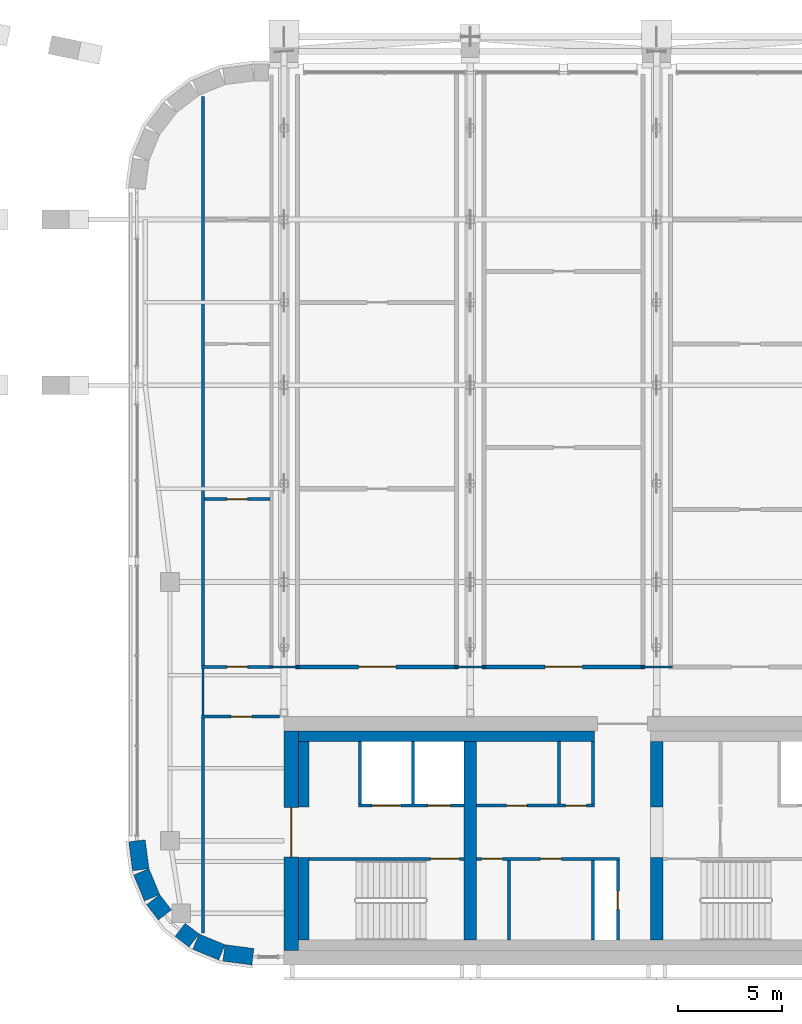
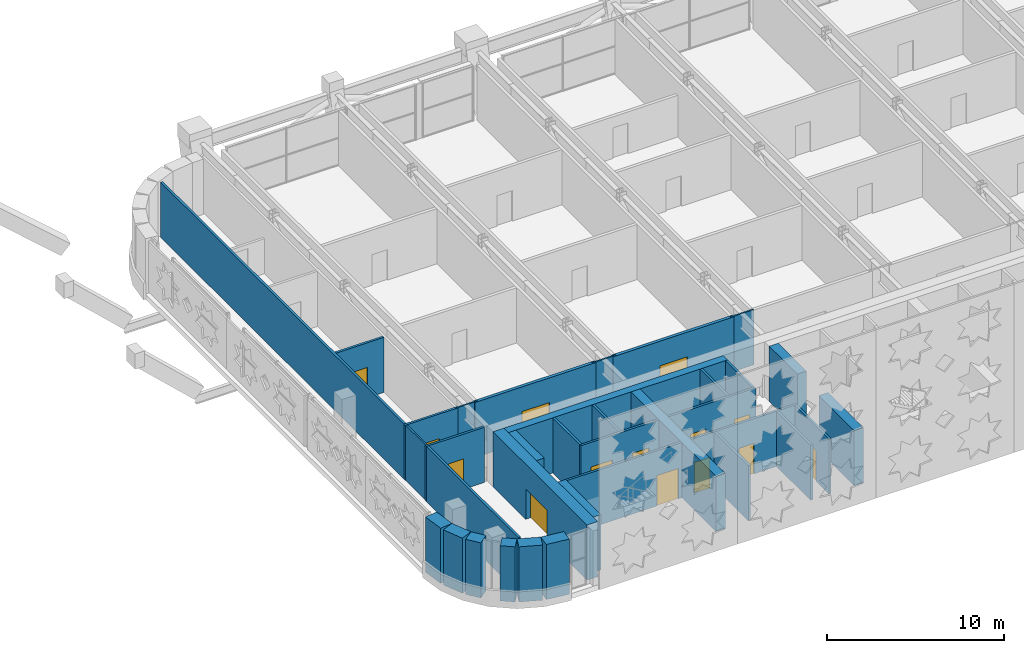
# One storey, part 16 of 26: 35 walls, 14 doors, 14 openings.
"""IFC4 building model written with IfcOpenShell, lengths in metres."""

from ifc_helpers import new_model, si_unit, direction, frame, frame_2d, origin, place, context, subcontext, project, spatial, rectangle, extrude, material, layer, layer_set, type_object, element, fill, save


model = new_model("IFC4")

# Units and contexts
model_context = context("Model", 3, precision=1e-05, world=origin(), true_north=direction((0.0, 1.0)))
body_context = subcontext(model_context, "Body", "Model", "MODEL_VIEW")
ifc_project = project(units=[si_unit("LENGTHUNIT", "METRE"), si_unit("AREAUNIT", "SQUARE_METRE"), si_unit("VOLUMEUNIT", "CUBIC_METRE"), si_unit("PLANEANGLEUNIT", "RADIAN"), si_unit("MASSUNIT", "GRAM", prefix="KILO")], contexts=[model_context])

# Site, building, storey
site_placement = place(None, origin())
site = spatial("IfcSite", under=ifc_project, at=site_placement, CompositionType="ELEMENT")
building_placement = place(site_placement, origin())
building = spatial("IfcBuilding", under=site, at=building_placement, Name="Zellij Exchange Tower", CompositionType="ELEMENT")
storey_placement = place(building_placement, frame((0.0, 0.0, 216.5)))
storey = spatial("IfcBuildingStorey", under=building, at=storey_placement, Name="L50", CompositionType="ELEMENT", Elevation=216.5)

# Walls
ifc_material_1 = material(Name="Concrete C50/60", Category="concrete")
ifc_layer_1 = layer(ifc_material_1, 0.60009765625)
ifc_layer_set_1 = layer_set([ifc_layer_1], Name="Concrete C50/60")
wall_type_1 = type_object("IfcWallType", Name="CORE-CW 600 C50/60", PredefinedType="SHEAR", material=ifc_layer_set_1)
wall_1_placement = place(storey_placement, frame((-18.0, -12.800048828125, 0.0), z_axis=(0.0, 0.0, 1.0), x_axis=(0.0, 1.0, 0.0)))
element("IfcWall", 1, at=wall_1_placement, inside=storey, type_object=wall_type_1, Name="Core cross wall x -18 L50", PredefinedType="SHEAR", context=body_context, shape_type="SweptSolid", body=[
    extrude(rectangle(XDim=9.60009765625, YDim=0.60009765625, at=frame_2d((4.800048828125, 0.0))), origin(), (0.0, 0.0, 1.0), 3.800048828125),
])
wall_2_placement = place(storey_placement, frame((-9.0, -12.800048828125, 0.0), z_axis=(0.0, 0.0, 1.0), x_axis=(0.0, 1.0, 0.0)))
element("IfcWall", 2, at=wall_2_placement, inside=storey, type_object=wall_type_1, Name="Core cross wall pier x -9 a L50", PredefinedType="SHEAR", context=body_context, shape_type="SweptSolid", body=[
    extrude(rectangle(XDim=4.0, YDim=0.60009765625, at=frame_2d((2.0, 0.0))), origin(), (0.0, 0.0, 1.0), 3.800048828125),
])
wall_3_placement = place(storey_placement, frame((-9.0, -6.375, 0.0), z_axis=(0.0, 0.0, 1.0), x_axis=(0.0, 1.0, 0.0)))
element("IfcWall", 3, at=wall_3_placement, inside=storey, type_object=wall_type_1, Name="Core cross wall pier x -9 b L50", PredefinedType="SHEAR", context=body_context, shape_type="SweptSolid", body=[
    extrude(rectangle(XDim=3.175048828125, YDim=0.60009765625, at=frame_2d((1.58740234375, 0.0))), origin(), (0.0, 0.0, 1.0), 3.800048828125),
])
ifc_material_2 = material(Name="Concrete C30/37", Category="concrete")
ifc_layer_2 = layer(ifc_material_2, 0.5)
ifc_layer_set_2 = layer_set([ifc_layer_2], Name="Concrete C30/37")
wall_type_2 = type_object("IfcWallType", Name="CORE-LW 500 C30/37", PredefinedType="SHEAR", material=ifc_layer_set_2)
wall_4_placement = place(storey_placement, frame((-26.300048828125, -2.949951171875, 0.0), z_axis=(0.0, 0.0, 1.0), x_axis=(1.0, 0.0, 0.0)))
element("IfcWall", 4, at=wall_4_placement, inside=storey, type_object=wall_type_2, Name="Core wall lining front.0 L50", PredefinedType="SHEAR", context=body_context, shape_type="SweptSolid", body=[
    extrude(rectangle(XDim=14.300048828125, YDim=0.5, at=frame_2d((7.14990234375, 0.0))), origin(), (0.0, 0.0, 1.0), 3.800048828125),
])
wall_5_placement = place(storey_placement, frame((-26.050048828125, -12.800048828125, 0.0), z_axis=(0.0, 0.0, 1.0), x_axis=(0.0, 1.0, 0.0)))
element("IfcWall", 5, at=wall_5_placement, inside=storey, type_object=wall_type_2, Name="Core wall lining end w.0 L50", PredefinedType="SHEAR", context=body_context, shape_type="SweptSolid", body=[
    extrude(rectangle(XDim=4.0, YDim=0.5, at=frame_2d((2.0, 0.0))), origin(), (0.0, 0.0, 1.0), 3.800048828125),
])
wall_6_placement = place(storey_placement, frame((-26.050048828125, -6.375, 0.0), z_axis=(0.0, 0.0, 1.0), x_axis=(0.0, 1.0, 0.0)))
element("IfcWall", 6, at=wall_6_placement, inside=storey, type_object=wall_type_2, Name="Core wall lining end w.1 L50", PredefinedType="SHEAR", context=body_context, shape_type="SweptSolid", body=[
    extrude(rectangle(XDim=3.175048828125, YDim=0.5, at=frame_2d((1.58740234375, 0.0))), origin(), (0.0, 0.0, 1.0), 3.800048828125),
])
ifc_material_3 = material(Name="Gypsum shaft wall system")
ifc_layer_3 = layer(ifc_material_3, 0.14990234375)
ifc_layer_set_3 = layer_set([ifc_layer_3], Name="Gypsum shaft wall system")
wall_type_3 = type_object("IfcWallType", Name="CORE-PW 150 Lift shaft wall", PredefinedType="PARTITIONING", material=ifc_layer_set_3)
for number, where, z_axis, x_axis, name in (
    (7, (-20.77490234375, -6.22509765625, 0.0), (0.0, 0.0, 1.0), (0.0, 1.0, 0.0), "Lift shaft wall L50"),
    (8, (-23.324951171875, -6.22509765625, 0.0), (0.0, 0.0, 1.0), (0.0, 1.0, 0.0), "Lift shaft wall L50"),
):
    element("IfcWall", number, at=place(storey_placement, frame(where, z_axis=z_axis, x_axis=x_axis)), inside=storey, type_object=wall_type_3, Name=name, PredefinedType="PARTITIONING", context=body_context, shape_type="SweptSolid", body=[
        extrude(rectangle(XDim=3.025146484375, YDim=0.14990234375, at=frame_2d((1.5126953125, 0.0))), origin(), (0.0, 0.0, 1.0), 3.800048828125),
    ])

# Wall, openings, doors
wall_7_placement = place(storey_placement, frame((-23.39990234375, -6.300048828125, 0.0), z_axis=(0.0, 0.0, 1.0), x_axis=(1.0, 0.0, 0.0)))
wall_7 = element("IfcWall", 9, at=wall_7_placement, inside=storey, type_object=wall_type_3, Name="Lift shaft wall L50", PredefinedType="PARTITIONING", context=body_context, shape_type="SweptSolid", body=[
    extrude(rectangle(XDim=5.099853515625, YDim=0.14990234375, at=frame_2d((2.5498046875, 0.0))), origin(), (0.0, 0.0, 1.0), 3.800048828125),
])
opening_1_placement = place(wall_7_placement, frame((0.64990234375, 0.0, 0.0)))
opening_1 = element("IfcOpeningElement", 10, at=opening_1_placement, cuts=wall_7, Name="Opening CA-27.02", PredefinedType="OPENING", context=body_context, shape_type="SweptSolid", body=[
    extrude(rectangle(XDim=1.39990234375, YDim=2.10009765625, at=frame_2d((0.699951171875, 1.050048828125))), frame((0.0, 0.0869140625, 0.0), z_axis=(0.0, -1.0, 0.0), x_axis=(1.0, 0.0, 0.0)), (0.0, 0.0, 1.0), 0.173828125),
])
opening_2_placement = place(wall_7_placement, frame((3.35009765625, 0.0, 0.0)))
opening_2 = element("IfcOpeningElement", 11, at=opening_2_placement, cuts=wall_7, Name="Opening CA-27.03", PredefinedType="OPENING", context=body_context, shape_type="SweptSolid", body=[
    extrude(rectangle(XDim=1.10009765625, YDim=2.10009765625, at=frame_2d((0.550048828125, 1.050048828125))), frame((0.0, 0.0869140625, 0.0), z_axis=(0.0, -1.0, 0.0), x_axis=(1.0, 0.0, 0.0)), (0.0, 0.0, 1.0), 0.173828125),
])
ifc_material_4 = material(Name="Hollow metal fire door")
door_type_1 = type_object("IfcDoorType", Name="CORE-D LD Lift landing door 1100x2100 1.5 HR", OperationType="NOTDEFINED", PredefinedType="DOOR", material=ifc_material_4)
door_1_placement = place(opening_2_placement, origin())
door_1 = element("IfcDoor", 12, at=door_1_placement, inside=storey, type_object=door_type_1, Name="Lift landing door CA-27.03", OperationType="SLIDING_TO_LEFT", OverallHeight=2.10009765625, OverallWidth=1.10009765625, PredefinedType="DOOR", context=body_context, shape_type="SweptSolid", body=[
    extrude(rectangle(XDim=1.10009765625, YDim=2.10009765625, at=frame_2d((0.550048828125, 1.050048828125))), frame((0.0, 0.02490234375, 0.0), z_axis=(0.0, -1.0, 0.0), x_axis=(1.0, 0.0, 0.0)), (0.0, 0.0, 1.0), 0.050048828125),
])
fill(opening_2, door_1)
door_type_2 = type_object("IfcDoorType", Name="CORE-D LD2 Service lift landing door 1400x2100 1.5 HR", OperationType="NOTDEFINED", PredefinedType="DOOR", material=ifc_material_4)
door_2_placement = place(opening_1_placement, origin())
door_2 = element("IfcDoor", 13, at=door_2_placement, inside=storey, type_object=door_type_2, Name="Service lift landing door CA-27.02", OperationType="SLIDING_TO_RIGHT", OverallHeight=2.10009765625, OverallWidth=1.39990234375, PredefinedType="DOOR", context=body_context, shape_type="SweptSolid", body=[
    extrude(rectangle(XDim=1.39990234375, YDim=2.10009765625, at=frame_2d((0.699951171875, 1.050048828125))), frame((0.0, 0.02490234375, 0.0), z_axis=(0.0, -1.0, 0.0), x_axis=(1.0, 0.0, 0.0)), (0.0, 0.0, 1.0), 0.050048828125),
])
fill(opening_1, door_2)

# Walls
ifc_layer_4 = layer(ifc_material_3, 0.14990234375)
ifc_layer_set_4 = layer_set([ifc_layer_4], Name="Gypsum shaft wall system")
wall_type_4 = type_object("IfcWallType", Name="CORE-PW 150 Plant room wall", PredefinedType="PARTITIONING", material=ifc_layer_set_4)
for number, where, z_axis, x_axis, name in (
    (14, (-12.074951171875, -6.22509765625, 0.0), (0.0, 0.0, 1.0), (0.0, 1.0, 0.0), "Plant room wall L50"),
    (15, (-13.72509765625, -6.22509765625, 0.0), (0.0, 0.0, 1.0), (0.0, 1.0, 0.0), "Plant room wall L50"),
):
    element("IfcWall", number, at=place(storey_placement, frame(where, z_axis=z_axis, x_axis=x_axis)), inside=storey, type_object=wall_type_4, Name=name, PredefinedType="PARTITIONING", context=body_context, shape_type="SweptSolid", body=[
        extrude(rectangle(XDim=3.025146484375, YDim=0.14990234375, at=frame_2d((1.5126953125, 0.0))), origin(), (0.0, 0.0, 1.0), 3.800048828125),
    ])

# Wall, opening, door
wall_8_placement = place(storey_placement, frame((-10.875, -12.800048828125, 0.0), z_axis=(0.0, 0.0, 1.0), x_axis=(0.0, 1.0, 0.0)))
wall_8 = element("IfcWall", 16, at=wall_8_placement, inside=storey, type_object=wall_type_4, Name="Plant room wall L50", PredefinedType="PARTITIONING", context=body_context, shape_type="SweptSolid", body=[
    extrude(rectangle(XDim=3.85009765625, YDim=0.14990234375, at=frame_2d((1.925048828125, 0.0))), origin(), (0.0, 0.0, 1.0), 3.800048828125),
])
opening_3_placement = place(wall_8_placement, frame((1.47509765625, 0.0, 0.0)))
opening_3 = element("IfcOpeningElement", 17, at=opening_3_placement, cuts=wall_8, Name="Opening CA-27.09", PredefinedType="OPENING", context=body_context, shape_type="SweptSolid", body=[
    extrude(rectangle(XDim=0.89990234375, YDim=2.10009765625, at=frame_2d((0.449951171875, 1.050048828125))), frame((0.0, 0.0869140625, 0.0), z_axis=(0.0, -1.0, 0.0), x_axis=(1.0, 0.0, 0.0)), (0.0, 0.0, 1.0), 0.173828125),
])
door_type_3 = type_object("IfcDoorType", Name="CORE-D RD Riser door 900x2100 1.5 HR", OperationType="NOTDEFINED", PredefinedType="DOOR", material=ifc_material_4)
door_3_placement = place(opening_3_placement, origin())
door_3 = element("IfcDoor", 18, at=door_3_placement, inside=storey, type_object=door_type_3, Name="Riser door CA-27.09", OperationType="SINGLE_SWING_RIGHT", OverallHeight=2.10009765625, OverallWidth=0.89990234375, PredefinedType="DOOR", context=body_context, shape_type="SweptSolid", body=[
    extrude(rectangle(XDim=0.89990234375, YDim=2.10009765625, at=frame_2d((0.449951171875, 1.050048828125))), frame((0.0, 0.02490234375, 0.0), z_axis=(0.0, -1.0, 0.0), x_axis=(1.0, 0.0, 0.0)), (0.0, 0.0, 1.0), 0.050048828125),
])
fill(opening_3, door_3)

# Walls
for number, where, z_axis, x_axis, name in (
    (19, (-12.074951171875, -12.800048828125, 0.0), (0.0, 0.0, 1.0), (0.0, 1.0, 0.0), "Plant room wall L50"),
    (20, (-16.125, -12.800048828125, 0.0), (0.0, 0.0, 1.0), (0.0, 1.0, 0.0), "Plant room wall L50"),
):
    element("IfcWall", number, at=place(storey_placement, frame(where, z_axis=z_axis, x_axis=x_axis)), inside=storey, type_object=wall_type_4, Name=name, PredefinedType="PARTITIONING", context=body_context, shape_type="SweptSolid", body=[
        extrude(rectangle(XDim=3.85009765625, YDim=0.14990234375, at=frame_2d((1.925048828125, 0.0))), origin(), (0.0, 0.0, 1.0), 3.800048828125),
    ])

# Wall, openings, doors
wall_9_placement = place(storey_placement, frame((-17.699951171875, -6.300048828125, 0.0), z_axis=(0.0, 0.0, 1.0), x_axis=(1.0, 0.0, 0.0)))
wall_9 = element("IfcWall", 21, at=wall_9_placement, inside=storey, type_object=wall_type_4, Name="Plant room wall L50", PredefinedType="PARTITIONING", context=body_context, shape_type="SweptSolid", body=[
    extrude(rectangle(XDim=5.699951171875, YDim=0.14990234375, at=frame_2d((2.85009765625, 0.0))), origin(), (0.0, 0.0, 1.0), 3.800048828125),
])
opening_4_placement = place(wall_9_placement, frame((1.449951171875, 0.0, 0.0)))
opening_4 = element("IfcOpeningElement", 22, at=opening_4_placement, cuts=wall_9, Name="Opening CA-27.06", PredefinedType="OPENING", context=body_context, shape_type="SweptSolid", body=[
    extrude(rectangle(XDim=1.0, YDim=2.10009765625, at=frame_2d((0.5, 1.050048828125))), frame((0.0, 0.0869140625, 0.0), z_axis=(0.0, -1.0, 0.0), x_axis=(1.0, 0.0, 0.0)), (0.0, 0.0, 1.0), 0.173828125),
])
opening_5_placement = place(wall_9_placement, frame((4.300048828125, 0.0, 0.0)))
opening_5 = element("IfcOpeningElement", 23, at=opening_5_placement, cuts=wall_9, Name="Opening CA-27.08", PredefinedType="OPENING", context=body_context, shape_type="SweptSolid", body=[
    extrude(rectangle(XDim=1.0, YDim=2.10009765625, at=frame_2d((0.5, 1.050048828125))), frame((0.0, 0.0869140625, 0.0), z_axis=(0.0, -1.0, 0.0), x_axis=(1.0, 0.0, 0.0)), (0.0, 0.0, 1.0), 0.173828125),
])
door_type_4 = type_object("IfcDoorType", Name="CORE-D CDA Core room door 1000x2100 1.5 HR", OperationType="NOTDEFINED", PredefinedType="DOOR", material=ifc_material_4)
door_4_placement = place(opening_4_placement, origin())
door_4 = element("IfcDoor", 24, at=door_4_placement, inside=storey, type_object=door_type_4, Name="Core room door CA-27.06", OperationType="SINGLE_SWING_LEFT", OverallHeight=2.10009765625, OverallWidth=1.0, PredefinedType="DOOR", context=body_context, shape_type="SweptSolid", body=[
    extrude(rectangle(XDim=1.0, YDim=2.10009765625, at=frame_2d((0.5, 1.050048828125))), frame((0.0, 0.02490234375, 0.0), z_axis=(0.0, -1.0, 0.0), x_axis=(1.0, 0.0, 0.0)), (0.0, 0.0, 1.0), 0.050048828125),
])
fill(opening_4, door_4)
door_5_placement = place(opening_5_placement, origin())
door_5 = element("IfcDoor", 25, at=door_5_placement, inside=storey, type_object=door_type_4, Name="Core room door CA-27.08", OperationType="SINGLE_SWING_RIGHT", OverallHeight=2.10009765625, OverallWidth=1.0, PredefinedType="DOOR", context=body_context, shape_type="SweptSolid", body=[
    extrude(rectangle(XDim=1.0, YDim=2.10009765625, at=frame_2d((0.5, 1.050048828125))), frame((0.0, 0.02490234375, 0.0), z_axis=(0.0, -1.0, 0.0), x_axis=(1.0, 0.0, 0.0)), (0.0, 0.0, 1.0), 0.050048828125),
])
fill(opening_5, door_5)

wall_10_placement = place(storey_placement, frame((-17.699951171875, -8.875, 0.0), z_axis=(0.0, 0.0, 1.0), x_axis=(1.0, 0.0, 0.0)))
wall_10 = element("IfcWall", 26, at=wall_10_placement, inside=storey, type_object=wall_type_4, Name="Plant room wall L50", PredefinedType="PARTITIONING", context=body_context, shape_type="SweptSolid", body=[
    extrude(rectangle(XDim=6.89990234375, YDim=0.14990234375, at=frame_2d((3.449951171875, 0.0))), origin(), (0.0, 0.0, 1.0), 3.800048828125),
])
opening_6_placement = place(wall_10_placement, frame((0.25, 0.0, 0.0)))
opening_6 = element("IfcOpeningElement", 27, at=opening_6_placement, cuts=wall_10, Name="Opening CA-27.05", PredefinedType="OPENING", context=body_context, shape_type="SweptSolid", body=[
    extrude(rectangle(XDim=1.0, YDim=2.10009765625, at=frame_2d((0.5, 1.050048828125))), frame((0.0, 0.0869140625, 0.0), z_axis=(0.0, -1.0, 0.0), x_axis=(1.0, 0.0, 0.0)), (0.0, 0.0, 1.0), 0.173828125),
])
opening_7_placement = place(wall_10_placement, frame((3.10009765625, 0.0, 0.0)))
opening_7 = element("IfcOpeningElement", 28, at=opening_7_placement, cuts=wall_10, Name="Opening CA-27.07", PredefinedType="OPENING", context=body_context, shape_type="SweptSolid", body=[
    extrude(rectangle(XDim=1.0, YDim=2.10009765625, at=frame_2d((0.5, 1.050048828125))), frame((0.0, 0.0869140625, 0.0), z_axis=(0.0, -1.0, 0.0), x_axis=(1.0, 0.0, 0.0)), (0.0, 0.0, 1.0), 0.173828125),
])
door_6_placement = place(opening_6_placement, origin())
door_6 = element("IfcDoor", 29, at=door_6_placement, inside=storey, type_object=door_type_4, Name="Core room door CA-27.05", OperationType="SINGLE_SWING_RIGHT", OverallHeight=2.10009765625, OverallWidth=1.0, PredefinedType="DOOR", context=body_context, shape_type="SweptSolid", body=[
    extrude(rectangle(XDim=1.0, YDim=2.10009765625, at=frame_2d((0.5, 1.050048828125))), frame((0.0, 0.02490234375, 0.0), z_axis=(0.0, -1.0, 0.0), x_axis=(1.0, 0.0, 0.0)), (0.0, 0.0, 1.0), 0.050048828125),
])
fill(opening_6, door_6)
door_7_placement = place(opening_7_placement, origin())
door_7 = element("IfcDoor", 30, at=door_7_placement, inside=storey, type_object=door_type_4, Name="Core room door CA-27.07", OperationType="SINGLE_SWING_LEFT", OverallHeight=2.10009765625, OverallWidth=1.0, PredefinedType="DOOR", context=body_context, shape_type="SweptSolid", body=[
    extrude(rectangle(XDim=1.0, YDim=2.10009765625, at=frame_2d((0.5, 1.050048828125))), frame((0.0, 0.02490234375, 0.0), z_axis=(0.0, -1.0, 0.0), x_axis=(1.0, 0.0, 0.0)), (0.0, 0.0, 1.0), 0.050048828125),
])
fill(opening_7, door_7)

# Wall, opening, door
ifc_layer_5 = layer(ifc_material_1, 0.699951171875)
ifc_layer_set_5 = layer_set([ifc_layer_5], Name="Concrete C50/60")
wall_type_5 = type_object("IfcWallType", Name="CORE-SW 700 C50/60", PredefinedType="SHEAR", material=ifc_layer_set_5)
wall_11_placement = place(storey_placement, frame((-26.64990234375, -13.300048828125, 0.0), z_axis=(0.0, 0.0, 1.0), x_axis=(0.0, 1.0, 0.0)))
wall_11 = element("IfcWall", 31, at=wall_11_placement, inside=storey, type_object=wall_type_5, Name="Core shear wall end w L50", PredefinedType="SHEAR", context=body_context, shape_type="SweptSolid", body=[
    extrude(rectangle(XDim=10.60009765625, YDim=0.699951171875, at=frame_2d((5.300048828125, 0.0))), origin(), (0.0, 0.0, 1.0), 3.800048828125),
])
opening_8_placement = place(wall_11_placement, frame((4.511962890625, 0.0, 0.0)))
opening_8 = element("IfcOpeningElement", 32, at=opening_8_placement, cuts=wall_11, Name="Opening CA-27.01", PredefinedType="OPENING", context=body_context, shape_type="SweptSolid", body=[
    extrude(rectangle(XDim=2.39990234375, YDim=2.10009765625, at=frame_2d((1.199951171875, 1.050048828125))), frame((0.0, 0.36181640625, 0.0), z_axis=(0.0, -1.0, 0.0), x_axis=(1.0, 0.0, 0.0)), (0.0, 0.0, 1.0), 0.723876953125),
])
door_type_5 = type_object("IfcDoorType", Name="CORE-D CE Core entrance door 2400x2100 20 MIN", OperationType="NOTDEFINED", PredefinedType="DOOR", material=ifc_material_4)
door_8_placement = place(opening_8_placement, origin())
door_8 = element("IfcDoor", 33, at=door_8_placement, inside=storey, type_object=door_type_5, Name="Core entrance door CA-27.01", OperationType="DOUBLE_DOOR_SINGLE_SWING", OverallHeight=2.10009765625, OverallWidth=2.39990234375, PredefinedType="DOOR", context=body_context, shape_type="SweptSolid", body=[
    extrude(rectangle(XDim=2.39990234375, YDim=2.10009765625, at=frame_2d((1.199951171875, 1.050048828125))), frame((0.0, 0.02490234375, 0.0), z_axis=(0.0, -1.0, 0.0), x_axis=(1.0, 0.0, 0.0)), (0.0, 0.0, 1.0), 0.050048828125),
])
fill(opening_8, door_8)

ifc_layer_6 = layer(ifc_material_1, 0.14990234375)
ifc_layer_set_6 = layer_set([ifc_layer_6], Name="Concrete C50/60")
wall_type_6 = type_object("IfcWallType", Name="CORE-SWS 150 C50/60", PredefinedType="SHEAR", material=ifc_layer_set_6)
wall_12_placement = place(storey_placement, frame((-25.800048828125, -8.875, 0.0), z_axis=(0.0, 0.0, 1.0), x_axis=(1.0, 0.0, 0.0)))
wall_12 = element("IfcWall", 34, at=wall_12_placement, inside=storey, type_object=wall_type_6, Name="Stair enclosure wall L50", PredefinedType="SHEAR", context=body_context, shape_type="SweptSolid", body=[
    extrude(rectangle(XDim=7.5, YDim=0.14990234375, at=frame_2d((3.75, 0.0))), origin(), (0.0, 0.0, 1.0), 3.800048828125),
])
opening_9_placement = place(wall_12_placement, frame((5.875, 0.0, 0.0)))
opening_9 = element("IfcOpeningElement", 35, at=opening_9_placement, cuts=wall_12, Name="Opening CA-27.04", PredefinedType="OPENING", context=body_context, shape_type="SweptSolid", body=[
    extrude(rectangle(XDim=1.39990234375, YDim=2.10009765625, at=frame_2d((0.699951171875, 1.050048828125))), frame((0.0, 0.0869140625, 0.0), z_axis=(0.0, -1.0, 0.0), x_axis=(1.0, 0.0, 0.0)), (0.0, 0.0, 1.0), 0.173828125),
])
door_type_6 = type_object("IfcDoorType", Name="CORE-D SD Stair door 1400x2100 1.5 HR", OperationType="NOTDEFINED", PredefinedType="DOOR", material=ifc_material_4)
door_9_placement = place(opening_9_placement, origin())
door_9 = element("IfcDoor", 36, at=door_9_placement, inside=storey, type_object=door_type_6, Name="Stair door CA-27.04", OperationType="DOUBLE_DOOR_SINGLE_SWING", OverallHeight=2.10009765625, OverallWidth=1.39990234375, PredefinedType="DOOR", context=body_context, shape_type="SweptSolid", body=[
    extrude(rectangle(XDim=1.39990234375, YDim=2.10009765625, at=frame_2d((0.699951171875, 1.050048828125))), frame((0.0, 0.02490234375, 0.0), z_axis=(0.0, -1.0, 0.0), x_axis=(1.0, 0.0, 0.0)), (0.0, 0.0, 1.0), 0.050048828125),
])
fill(opening_9, door_9)

# Walls
ifc_material_5 = material(Name="Precast concrete C40/50", Category="concrete")
ifc_layer_7 = layer(ifc_material_5, 0.800048828125)
ifc_layer_set_7 = layer_set([ifc_layer_7], Name="Precast concrete C40/50")
wall_type_7 = type_object("IfcWallType", Name="ENV-EW1 Precast stone-piered wall 800", PredefinedType="SOLIDWALL", material=ifc_layer_set_7)
wall_13_placement = place(storey_placement, frame((-34.0966796875, -7.999755859375, 0.0), z_axis=(0.0, 0.0, 1.0), x_axis=(0.130517283865, -0.99144603414, 0.0)))
element("IfcWall", 37, at=wall_13_placement, inside=storey, type_object=wall_type_7, Name="fac.L50.22", PredefinedType="SOLIDWALL", context=body_context, shape_type="SweptSolid", body=[
    extrude(rectangle(XDim=1.408447265625, YDim=0.800048828125, at=frame_2d((0.7041015625, 0.0))), origin(), (0.0, 0.0, 1.0), 3.800048828125),
])
wall_14_placement = place(storey_placement, frame((-33.8857421875, -9.497314453125, 0.0), z_axis=(0.0, 0.0, 1.0), x_axis=(0.38276009378, -0.923847774587, 0.0)))
element("IfcWall", 38, at=wall_14_placement, inside=storey, type_object=wall_type_7, Name="fac.L50.23", PredefinedType="SOLIDWALL", context=body_context, shape_type="SweptSolid", body=[
    extrude(rectangle(XDim=1.35546875, YDim=0.800048828125, at=frame_2d((0.677734375, 0.0))), origin(), (0.0, 0.0, 1.0), 3.800048828125),
])
wall_15_placement = place(storey_placement, frame((-33.314697265625, -10.840087890625, 0.0), z_axis=(0.0, 0.0, 1.0), x_axis=(0.608772738221, -0.793344662299, 0.0)))
element("IfcWall", 39, at=wall_15_placement, inside=storey, type_object=wall_type_7, Name="fac.L50.24", PredefinedType="SOLIDWALL", context=body_context, shape_type="SweptSolid", body=[
    extrude(rectangle(XDim=0.93115234375, YDim=0.800048828125, at=frame_2d((0.465576171875, 0.0))), origin(), (0.0, 0.0, 1.0), 3.800048828125),
])
wall_16_placement = place(storey_placement, frame((-32.013671875, -12.2978515625, 0.0), z_axis=(0.0, 0.0, 1.0), x_axis=(0.793361000707, -0.608751445631, 0.0)))
element("IfcWall", 40, at=wall_16_placement, inside=storey, type_object=wall_type_7, Name="fac.L50.25", PredefinedType="SOLIDWALL", context=body_context, shape_type="SweptSolid", body=[
    extrude(rectangle(XDim=0.84912109375, YDim=0.800048828125, at=frame_2d((0.424560546875, 0.0))), origin(), (0.0, 0.0, 1.0), 3.800048828125),
])
wall_17_placement = place(storey_placement, frame((-31.24951171875, -12.866943359375, 0.0), z_axis=(0.0, 0.0, 1.0), x_axis=(0.923847774587, -0.38276009378, 0.0)))
element("IfcWall", 41, at=wall_17_placement, inside=storey, type_object=wall_type_7, Name="fac.L50.26", PredefinedType="SOLIDWALL", context=body_context, shape_type="SweptSolid", body=[
    extrude(rectangle(XDim=1.35546875, YDim=0.800048828125, at=frame_2d((0.677734375, 0.0))), origin(), (0.0, 0.0, 1.0), 3.800048828125),
])
wall_18_placement = place(storey_placement, frame((-29.896240234375, -13.412841796875, 0.0), z_axis=(0.0, 0.0, 1.0), x_axis=(0.99144603414, -0.130517283865, 0.0)))
element("IfcWall", 42, at=wall_18_placement, inside=storey, type_object=wall_type_7, Name="fac.L50.27", PredefinedType="SOLIDWALL", context=body_context, shape_type="SweptSolid", body=[
    extrude(rectangle(XDim=1.408447265625, YDim=0.800048828125, at=frame_2d((0.7041015625, 0.0))), origin(), (0.0, 0.0, 1.0), 3.800048828125),
])

# Wall, opening, door
ifc_material_6 = material(Name="Blockwork fire wall", Category="masonry")
ifc_layer_8 = layer(ifc_material_6, 0.199951171875)
ifc_layer_set_8 = layer_set([ifc_layer_8], Name="Blockwork fire wall")
wall_type_8 = type_object("IfcWallType", Name="FIT-BLOCKWORK-200-EI120", PredefinedType="PARTITIONING", material=ifc_layer_set_8)
wall_19_placement = place(storey_placement, frame((-26.43994140625, 0.39990234375, 0.0), z_axis=(0.0, 0.0, 1.0), x_axis=(1.0, 0.0, 0.0)))
wall_19 = element("IfcWall", 43, at=wall_19_placement, inside=storey, type_object=wall_type_8, Name="FIT-BLOCKWORK-200-EI120 011", PredefinedType="PARTITIONING", context=body_context, shape_type="SweptSolid", body=[
    extrude(rectangle(XDim=7.8798828125, YDim=0.199951171875, at=frame_2d((3.93994140625, 0.0))), origin(), (0.0, 0.0, 1.0), 3.800048828125),
])
opening_10_placement = place(wall_19_placement, frame((3.050048828125, 0.0, 0.0)))
opening_10 = element("IfcOpeningElement", 44, at=opening_10_placement, cuts=wall_19, Name="Opening PL50.04", PredefinedType="OPENING", context=body_context, shape_type="SweptSolid", body=[
    extrude(rectangle(XDim=1.800048828125, YDim=2.10009765625, at=frame_2d((0.89990234375, 1.050048828125))), frame((0.0, 0.11181640625, 0.0), z_axis=(0.0, -1.0, 0.0), x_axis=(1.0, 0.0, 0.0)), (0.0, 0.0, 1.0), 0.223876953125),
])
ifc_material_7 = material(Name="Steel fire door set", Category="steel")
door_type_7 = type_object("IfcDoorType", Name="FIT-D5-FIRE-DOUBLE-1800X2100", OperationType="DOUBLE_DOOR_SINGLE_SWING", PredefinedType="DOOR", material=ifc_material_7)
door_10_placement = place(opening_10_placement, origin())
door_10 = element("IfcDoor", 45, at=door_10_placement, inside=storey, type_object=door_type_7, Name="Door PL50.04", OperationType="DOUBLE_DOOR_SINGLE_SWING", OverallHeight=2.10009765625, OverallWidth=1.800048828125, PredefinedType="DOOR", context=body_context, shape_type="SweptSolid", body=[
    extrude(rectangle(XDim=1.800048828125, YDim=2.10009765625, at=frame_2d((0.89990234375, 1.050048828125))), frame((0.0, 0.02490234375, 0.0), z_axis=(0.0, -1.0, 0.0), x_axis=(1.0, 0.0, 0.0)), (0.0, 0.0, 1.0), 0.050048828125),
])
fill(opening_10, door_10)

wall_20_placement = place(storey_placement, frame((-17.43994140625, 0.39990234375, 0.0), z_axis=(0.0, 0.0, 1.0), x_axis=(1.0, 0.0, 0.0)))
wall_20 = element("IfcWall", 46, at=wall_20_placement, inside=storey, type_object=wall_type_8, Name="FIT-BLOCKWORK-200-EI120 015", PredefinedType="PARTITIONING", context=body_context, shape_type="SweptSolid", body=[
    extrude(rectangle(XDim=7.8798828125, YDim=0.199951171875, at=frame_2d((3.93994140625, 0.0))), origin(), (0.0, 0.0, 1.0), 3.800048828125),
])
opening_11_placement = place(wall_20_placement, frame((3.050048828125, 0.0, 0.0)))
opening_11 = element("IfcOpeningElement", 47, at=opening_11_placement, cuts=wall_20, Name="Opening PL50.05", PredefinedType="OPENING", context=body_context, shape_type="SweptSolid", body=[
    extrude(rectangle(XDim=1.800048828125, YDim=2.10009765625, at=frame_2d((0.89990234375, 1.050048828125))), frame((0.0, 0.11181640625, 0.0), z_axis=(0.0, -1.0, 0.0), x_axis=(1.0, 0.0, 0.0)), (0.0, 0.0, 1.0), 0.223876953125),
])
door_11_placement = place(opening_11_placement, origin())
door_11 = element("IfcDoor", 48, at=door_11_placement, inside=storey, type_object=door_type_7, Name="Door PL50.05", OperationType="DOUBLE_DOOR_SINGLE_SWING", OverallHeight=2.10009765625, OverallWidth=1.800048828125, PredefinedType="DOOR", context=body_context, shape_type="SweptSolid", body=[
    extrude(rectangle(XDim=1.800048828125, YDim=2.10009765625, at=frame_2d((0.89990234375, 1.050048828125))), frame((0.0, 0.02490234375, 0.0), z_axis=(0.0, -1.0, 0.0), x_axis=(1.0, 0.0, 0.0)), (0.0, 0.0, 1.0), 0.050048828125),
])
fill(opening_11, door_11)

# Walls
ifc_material_8 = material(Name="Gypsum board partition on steel studs", Category="steel")
ifc_layer_9 = layer(ifc_material_8, 0.10009765625)
ifc_layer_set_9 = layer_set([ifc_layer_9], Name="Gypsum board partition on steel studs")
wall_type_9 = type_object("IfcWallType", Name="FIT-PARTITION-100", PredefinedType="PARTITIONING", material=ifc_layer_set_9)
wall_21_placement = place(storey_placement, frame((-30.89990234375, -1.925048828125, 0.0), z_axis=(0.0, 0.0, 1.0), x_axis=(0.0, 1.0, 0.0)))
element("IfcWall", 49, at=wall_21_placement, inside=storey, type_object=wall_type_9, Name="FIT-PARTITION-100 004", PredefinedType="PARTITIONING", context=body_context, shape_type="SweptSolid", body=[
    extrude(rectangle(XDim=2.25, YDim=0.10009765625, at=frame_2d((1.125, 0.0))), origin(), (0.0, 0.0, 1.0), 3.800048828125),
])
wall_22_placement = place(storey_placement, frame((-27.675048828125, 0.39990234375, 0.0), z_axis=(0.0, 0.0, 1.0), x_axis=(1.0, 0.0, 0.0)))
element("IfcWall", 50, at=wall_22_placement, inside=storey, type_object=wall_type_9, Name="FIT-PARTITION-100 009", PredefinedType="PARTITIONING", context=body_context, shape_type="SweptSolid", body=[
    extrude(rectangle(XDim=1.43505859375, YDim=0.10009765625, at=frame_2d((0.717529296875, 0.0))), origin(), (0.0, 0.0, 1.0), 3.800048828125),
])
for number, where, z_axis, x_axis, name in (
    (51, (-18.760009765625, 0.39990234375, 0.0), (0.0, 0.0, 1.0), (1.0, 0.0, 0.0), "FIT-PARTITION-100 013"),
    (52, (-9.760009765625, 0.39990234375, 0.0), (0.0, 0.0, 1.0), (1.0, 0.0, 0.0), "FIT-PARTITION-100 017"),
):
    element("IfcWall", number, at=place(storey_placement, frame(where, z_axis=z_axis, x_axis=x_axis)), inside=storey, type_object=wall_type_9, Name=name, PredefinedType="PARTITIONING", context=body_context, shape_type="SweptSolid", body=[
        extrude(rectangle(XDim=1.52001953125, YDim=0.10009765625, at=frame_2d((0.760009765625, 0.0))), origin(), (0.0, 0.0, 1.0), 3.800048828125),
    ])
ifc_material_9 = material(Name="Gypsum board shaft-wall partition", Category="gypsum")
ifc_layer_10 = layer(ifc_material_9, 0.14990234375)
ifc_layer_set_10 = layer_set([ifc_layer_10], Name="Gypsum board shaft-wall partition")
wall_type_10 = type_object("IfcWallType", Name="FIT-PARTITION-150-EI60", PredefinedType="PARTITIONING", material=ifc_layer_set_10)
wall_23_placement = place(storey_placement, frame((-30.89990234375, -12.43994140625, 0.0), z_axis=(0.0, 0.0, 1.0), x_axis=(0.0, 1.0, 0.0)))
element("IfcWall", 53, at=wall_23_placement, inside=storey, type_object=wall_type_10, Name="FIT-PARTITION-150-EI60 001", PredefinedType="PARTITIONING", context=body_context, shape_type="SweptSolid", body=[
    extrude(rectangle(XDim=10.364990234375, YDim=0.14990234375, at=frame_2d((5.1826171875, 0.0))), origin(), (0.0, 0.0, 1.0), 3.800048828125),
])

# Wall, opening, door
wall_24_placement = place(storey_placement, frame((-30.97509765625, -2.0, 0.0), z_axis=(0.0, 0.0, 1.0), x_axis=(1.0, 0.0, 0.0)))
wall_24 = element("IfcWall", 54, at=wall_24_placement, inside=storey, type_object=wall_type_10, Name="FIT-PARTITION-150-EI60 003", PredefinedType="PARTITIONING", context=body_context, shape_type="SweptSolid", body=[
    extrude(rectangle(XDim=3.76318359375, YDim=0.14990234375, at=frame_2d((1.881591796875, 0.0))), origin(), (0.0, 0.0, 1.0), 3.800048828125),
])
opening_12_placement = place(wall_24_placement, frame((1.425048828125, 0.0, 0.0)))
opening_12 = element("IfcOpeningElement", 55, at=opening_12_placement, cuts=wall_24, Name="Opening PL50.01", PredefinedType="OPENING", context=body_context, shape_type="SweptSolid", body=[
    extrude(rectangle(XDim=1.0, YDim=2.10009765625, at=frame_2d((0.5, 1.050048828125))), frame((0.0, 0.0869140625, 0.0), z_axis=(0.0, -1.0, 0.0), x_axis=(1.0, 0.0, 0.0)), (0.0, 0.0, 1.0), 0.173828125),
])
door_type_8 = type_object("IfcDoorType", Name="FIT-D4-FIRE-1000X2100", OperationType="SINGLE_SWING_LEFT", PredefinedType="DOOR", material=ifc_material_7)
door_12_placement = place(opening_12_placement, origin())
door_12 = element("IfcDoor", 56, at=door_12_placement, inside=storey, type_object=door_type_8, Name="Door PL50.01", OperationType="SINGLE_SWING_RIGHT", OverallHeight=2.10009765625, OverallWidth=1.0, PredefinedType="DOOR", context=body_context, shape_type="SweptSolid", body=[
    extrude(rectangle(XDim=1.0, YDim=2.10009765625, at=frame_2d((0.5, 1.050048828125))), frame((0.0, 0.02490234375, 0.0), z_axis=(0.0, -1.0, 0.0), x_axis=(1.0, 0.0, 0.0)), (0.0, 0.0, 1.0), 0.050048828125),
])
fill(opening_12, door_12)

wall_25_placement = place(storey_placement, frame((-30.97509765625, 0.39990234375, 0.0), z_axis=(0.0, 0.0, 1.0), x_axis=(1.0, 0.0, 0.0)))
wall_25 = element("IfcWall", 57, at=wall_25_placement, inside=storey, type_object=wall_type_10, Name="FIT-PARTITION-150-EI60 007", PredefinedType="PARTITIONING", context=body_context, shape_type="SweptSolid", body=[
    extrude(rectangle(XDim=3.4501953125, YDim=0.14990234375, at=frame_2d((1.72509765625, 0.0))), origin(), (0.0, 0.0, 1.0), 3.800048828125),
])
opening_13_placement = place(wall_25_placement, frame((1.22509765625, 0.0, 0.0)))
opening_13 = element("IfcOpeningElement", 58, at=opening_13_placement, cuts=wall_25, Name="Opening PL50.03", PredefinedType="OPENING", context=body_context, shape_type="SweptSolid", body=[
    extrude(rectangle(XDim=1.0, YDim=2.10009765625, at=frame_2d((0.5, 1.050048828125))), frame((0.0, 0.0869140625, 0.0), z_axis=(0.0, -1.0, 0.0), x_axis=(1.0, 0.0, 0.0)), (0.0, 0.0, 1.0), 0.173828125),
])
door_13_placement = place(opening_13_placement, origin())
door_13 = element("IfcDoor", 59, at=door_13_placement, inside=storey, type_object=door_type_8, Name="Door PL50.03", OperationType="SINGLE_SWING_RIGHT", OverallHeight=2.10009765625, OverallWidth=1.0, PredefinedType="DOOR", context=body_context, shape_type="SweptSolid", body=[
    extrude(rectangle(XDim=1.0, YDim=2.10009765625, at=frame_2d((0.5, 1.050048828125))), frame((0.0, 0.02490234375, 0.0), z_axis=(0.0, -1.0, 0.0), x_axis=(1.0, 0.0, 0.0)), (0.0, 0.0, 1.0), 0.050048828125),
])
fill(opening_13, door_13)

# Wall
wall_26_placement = place(storey_placement, frame((-30.89990234375, 0.47509765625, 0.0), z_axis=(0.0, 0.0, 1.0), x_axis=(0.0, 1.0, 0.0)))
element("IfcWall", 60, at=wall_26_placement, inside=storey, type_object=wall_type_10, Name="FIT-PARTITION-150-EI60 008", PredefinedType="PARTITIONING", context=body_context, shape_type="SweptSolid", body=[
    extrude(rectangle(XDim=27.46484375, YDim=0.14990234375, at=frame_2d((13.732421875, 0.0))), origin(), (0.0, 0.0, 1.0), 3.800048828125),
])

# Wall, opening, door
wall_27_placement = place(storey_placement, frame((-30.824951171875, 8.5, 0.0), z_axis=(0.0, 0.0, 1.0), x_axis=(1.0, 0.0, 0.0)))
wall_27 = element("IfcWall", 61, at=wall_27_placement, inside=storey, type_object=wall_type_10, Name="FIT-PARTITION-150-EI60 040", PredefinedType="PARTITIONING", context=body_context, shape_type="SweptSolid", body=[
    extrude(rectangle(XDim=3.14990234375, YDim=0.14990234375, at=frame_2d((1.574951171875, 0.0))), origin(), (0.0, 0.0, 1.0), 3.800048828125),
])
opening_14_placement = place(wall_27_placement, frame((1.074951171875, 0.0, 0.0)))
opening_14 = element("IfcOpeningElement", 62, at=opening_14_placement, cuts=wall_27, Name="Opening PL50.13", PredefinedType="OPENING", context=body_context, shape_type="SweptSolid", body=[
    extrude(rectangle(XDim=1.0, YDim=2.10009765625, at=frame_2d((0.5, 1.050048828125))), frame((0.0, 0.0869140625, 0.0), z_axis=(0.0, -1.0, 0.0), x_axis=(1.0, 0.0, 0.0)), (0.0, 0.0, 1.0), 0.173828125),
])
door_14_placement = place(opening_14_placement, origin())
door_14 = element("IfcDoor", 63, at=door_14_placement, inside=storey, type_object=door_type_8, Name="Door PL50.13", OperationType="SINGLE_SWING_RIGHT", OverallHeight=2.10009765625, OverallWidth=1.0, PredefinedType="DOOR", context=body_context, shape_type="SweptSolid", body=[
    extrude(rectangle(XDim=1.0, YDim=2.10009765625, at=frame_2d((0.5, 1.050048828125))), frame((0.0, 0.02490234375, 0.0), z_axis=(0.0, -1.0, 0.0), x_axis=(1.0, 0.0, 0.0)), (0.0, 0.0, 1.0), 0.050048828125),
])
fill(opening_14, door_14)

save(model, "model.ifc")
